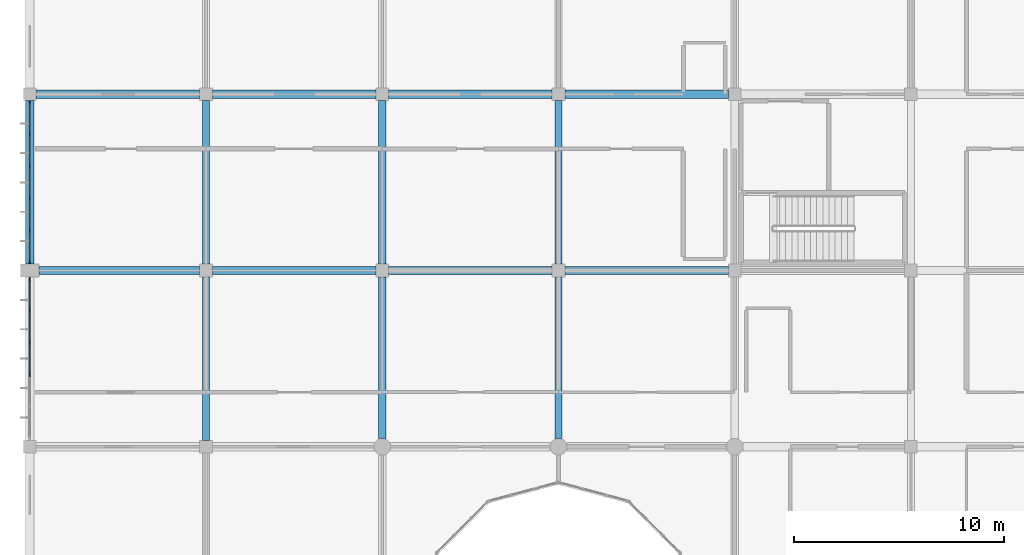
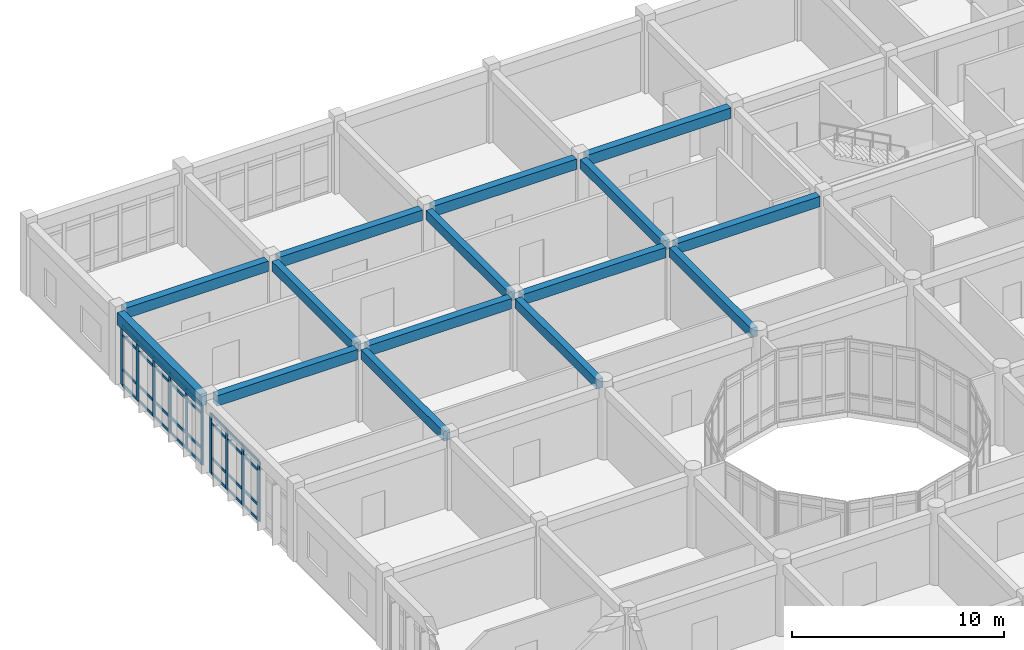
# One storey, part 41 of 144: 42 members, 15 beams, 2 elements without a shape of their own.
"""IFC4 building model written with IfcOpenShell, lengths in metres."""

from ifc_helpers import new_model, si_unit, direction, frame, origin, origin_2d, place, context, subcontext, project, spatial, rectangle, extrude, material, layer, layer_set, material_profile, profile_set, type_object, element, aggregate, save


model = new_model("IFC4")

# Units and contexts
model_context = context("Model", 3, precision=1e-05, world=origin(), true_north=direction((0.0, 1.0)))
body_context = subcontext(model_context, "Body", "Model", "MODEL_VIEW")
ifc_project = project(units=[si_unit("LENGTHUNIT", "METRE"), si_unit("AREAUNIT", "SQUARE_METRE"), si_unit("VOLUMEUNIT", "CUBIC_METRE"), si_unit("PLANEANGLEUNIT", "RADIAN"), si_unit("MASSUNIT", "GRAM", prefix="KILO")], contexts=[model_context])

# Site, building, storey
site_placement = place(None, origin())
site = spatial("IfcSite", under=ifc_project, at=site_placement, CompositionType="ELEMENT")
building_placement = place(site_placement, origin())
building = spatial("IfcBuilding", under=site, at=building_placement, Name="Bramfleet General Hospital", CompositionType="ELEMENT")
storey_placement = place(building_placement, frame((0.0, 0.0, 4.800048828125)))
storey = spatial("IfcBuildingStorey", under=building, at=storey_placement, Name="L01", CompositionType="ELEMENT", Elevation=4.800048828125)

# Beams
ifc_material_1 = material(Name="Concrete C35/45", Category="concrete")
ifc_material_profile_1 = material_profile(ifc_material_1, rectangle(XDim=0.35009765625, YDim=0.550048828125, at=origin_2d()), Name="RC BM 550x350")
ifc_profile_set_1 = profile_set([ifc_material_profile_1], Name="Concrete C35/45")
beam_type_1 = type_object("IfcBeamType", Name="BM-RC550", PredefinedType="BEAM", material=ifc_profile_set_1)
beam_1_placement = place(storey_placement, frame((8.39990234375, 92.699951171875, 3.875), z_axis=(0.0, 1.0, 0.0), x_axis=(-1.0, 0.0, 0.0)))
element("IfcBeam", 1, at=beam_1_placement, inside=storey, type_object=beam_type_1, Name="L01 Grid Beam Y 01-11", PredefinedType="BEAM", context=body_context, shape_type="SweptSolid", body=[
    extrude(rectangle(XDim=0.35009765625, YDim=0.550048828125, at=origin_2d()), origin(), (0.0, 0.0, 1.0), 7.800048828125),
])
beam_2_placement = place(storey_placement, frame((8.39990234375, 101.10009765625, 3.875), z_axis=(0.0, 1.0, 0.0), x_axis=(-1.0, 0.0, 0.0)))
element("IfcBeam", 2, at=beam_2_placement, inside=storey, type_object=beam_type_1, Name="L01 Grid Beam Y 01-12", PredefinedType="BEAM", context=body_context, shape_type="SweptSolid", body=[
    extrude(rectangle(XDim=0.35009765625, YDim=0.550048828125, at=origin_2d()), origin(), (0.0, 0.0, 1.0), 7.7998046875),
])
beam_3_placement = place(storey_placement, frame((16.800048828125, 92.800048828125, 3.875), z_axis=(0.0, 1.0, 0.0), x_axis=(-1.0, 0.0, 0.0)))
element("IfcBeam", 3, at=beam_3_placement, inside=storey, type_object=beam_type_1, Name="L01 Grid Beam Y 02-11", PredefinedType="BEAM", context=body_context, shape_type="SweptSolid", body=[
    extrude(rectangle(XDim=0.35009765625, YDim=0.550048828125, at=origin_2d()), origin(), (0.0, 0.0, 1.0), 7.699951171875),
])
beam_4_placement = place(storey_placement, frame((16.800048828125, 101.10009765625, 3.875), z_axis=(0.0, 1.0, 0.0), x_axis=(-1.0, 0.0, 0.0)))
element("IfcBeam", 4, at=beam_4_placement, inside=storey, type_object=beam_type_1, Name="L01 Grid Beam Y 02-12", PredefinedType="BEAM", context=body_context, shape_type="SweptSolid", body=[
    extrude(rectangle(XDim=0.35009765625, YDim=0.550048828125, at=origin_2d()), origin(), (0.0, 0.0, 1.0), 7.7998046875),
])
beam_5_placement = place(storey_placement, frame((25.199951171875, 92.800048828125, 3.875), z_axis=(0.0, 1.0, 0.0), x_axis=(-1.0, 0.0, 0.0)))
element("IfcBeam", 5, at=beam_5_placement, inside=storey, type_object=beam_type_1, Name="L01 Grid Beam Y 03-11", PredefinedType="BEAM", context=body_context, shape_type="SweptSolid", body=[
    extrude(rectangle(XDim=0.35009765625, YDim=0.550048828125, at=origin_2d()), origin(), (0.0, 0.0, 1.0), 7.699951171875),
])
beam_6_placement = place(storey_placement, frame((25.199951171875, 101.10009765625, 3.875), z_axis=(0.0, 1.0, 0.0), x_axis=(-1.0, 0.0, 0.0)))
element("IfcBeam", 6, at=beam_6_placement, inside=storey, type_object=beam_type_1, Name="L01 Grid Beam Y 03-12", PredefinedType="BEAM", context=body_context, shape_type="SweptSolid", body=[
    extrude(rectangle(XDim=0.35009765625, YDim=0.550048828125, at=origin_2d()), origin(), (0.0, 0.0, 1.0), 7.7998046875),
])
ifc_material_profile_2 = material_profile(ifc_material_1, rectangle(XDim=0.39990234375, YDim=0.60009765625, at=origin_2d()), Name="RC BM 600x400")
ifc_profile_set_2 = profile_set([ifc_material_profile_2], Name="Concrete C35/45")
beam_type_2 = type_object("IfcBeamType", Name="BM-RC600", PredefinedType="BEAM", material=ifc_profile_set_2)
beam_7_placement = place(storey_placement, frame((0.449951171875, 100.800048828125, 3.849853515625), z_axis=(1.0, 0.0, 0.0), x_axis=(0.0, 1.0, 0.0)))
element("IfcBeam", 7, at=beam_7_placement, inside=storey, type_object=beam_type_2, Name="L01 Grid Beam X 00-12", PredefinedType="BEAM", context=body_context, shape_type="SweptSolid", body=[
    extrude(rectangle(XDim=0.39990234375, YDim=0.60009765625, at=origin_2d()), origin(), (0.0, 0.0, 1.0), 7.650146484375),
])
for number, where, z_axis, x_axis, name in (
    (8, (0.300048828125, 109.199951171875, 3.849853515625), (1.0, 0.0, 0.0), (0.0, 1.0, 0.0), "L01 Grid Beam X 00-13"),
    (9, (8.699951171875, 100.800048828125, 3.849853515625), (1.0, 0.0, 0.0), (0.0, 1.0, 0.0), "L01 Grid Beam X 01-12"),
    (10, (8.699951171875, 109.199951171875, 3.849853515625), (1.0, 0.0, 0.0), (0.0, 1.0, 0.0), "L01 Grid Beam X 01-13"),
):
    element("IfcBeam", number, at=place(storey_placement, frame(where, z_axis=z_axis, x_axis=x_axis)), inside=storey, type_object=beam_type_2, Name=name, PredefinedType="BEAM", context=body_context, shape_type="SweptSolid", body=[
        extrude(rectangle(XDim=0.39990234375, YDim=0.60009765625, at=origin_2d()), origin(), (0.0, 0.0, 1.0), 7.800048828125),
    ])
for number, where, z_axis, x_axis, name in (
    (11, (17.10009765625, 100.800048828125, 3.849853515625), (1.0, 0.0, 0.0), (0.0, 1.0, 0.0), "L01 Grid Beam X 02-12"),
    (12, (17.10009765625, 109.199951171875, 3.849853515625), (1.0, 0.0, 0.0), (0.0, 1.0, 0.0), "L01 Grid Beam X 02-13"),
):
    element("IfcBeam", number, at=place(storey_placement, frame(where, z_axis=z_axis, x_axis=x_axis)), inside=storey, type_object=beam_type_2, Name=name, PredefinedType="BEAM", context=body_context, shape_type="SweptSolid", body=[
        extrude(rectangle(XDim=0.39990234375, YDim=0.60009765625, at=origin_2d()), origin(), (0.0, 0.0, 1.0), 7.7998046875),
    ])
for number, where, z_axis, x_axis, name in (
    (13, (25.5, 100.800048828125, 3.849853515625), (1.0, 0.0, 0.0), (0.0, 1.0, 0.0), "L01 Grid Beam X 03-12"),
    (14, (25.5, 109.199951171875, 3.849853515625), (1.0, 0.0, 0.0), (0.0, 1.0, 0.0), "L01 Grid Beam X 03-13"),
):
    element("IfcBeam", number, at=place(storey_placement, frame(where, z_axis=z_axis, x_axis=x_axis)), inside=storey, type_object=beam_type_2, Name=name, PredefinedType="BEAM", context=body_context, shape_type="SweptSolid", body=[
        extrude(rectangle(XDim=0.39990234375, YDim=0.60009765625, at=origin_2d()), origin(), (0.0, 0.0, 1.0), 7.800048828125),
    ])
ifc_material_profile_3 = material_profile(ifc_material_1, rectangle(XDim=0.39990234375, YDim=0.699951171875, at=origin_2d()), Name="RC SP 700x400")
ifc_profile_set_3 = profile_set([ifc_material_profile_3], Name="Concrete C35/45")
beam_type_3 = type_object("IfcBeamType", Name="BM-SP700", PredefinedType="SPANDREL", material=ifc_profile_set_3)
beam_8_placement = place(storey_placement, frame((0.0, 101.10009765625, 3.800048828125), z_axis=(0.0, 1.0, 0.0), x_axis=(-1.0, 0.0, 0.0)))
element("IfcBeam", 15, at=beam_8_placement, inside=storey, type_object=beam_type_3, Name="L01 Grid Beam Y 00-12", PredefinedType="SPANDREL", context=body_context, shape_type="SweptSolid", body=[
    extrude(rectangle(XDim=0.39990234375, YDim=0.699951171875, at=origin_2d()), origin(), (0.0, 0.0, 1.0), 7.7998046875),
])

# Curtain wall, members
ifc_material_2 = material(Name="Anodised aluminium and low-E triple glazing", Category="aluminium")
ifc_layer_1 = layer(ifc_material_2, 0.179931640625, Name="CWT-CW-07")
ifc_layer_set_1 = layer_set([ifc_layer_1], Name="Anodised aluminium and low-E triple glazing")
curtain_wall_type_1 = type_object("IfcCurtainWallType", Name="CWT-CW-07", PredefinedType="USERDEFINED", material=ifc_layer_set_1)
curtain_wall_1_placement = place(storey_placement, origin())
curtain_wall_1 = element("IfcCurtainWall", 16, at=curtain_wall_1_placement, inside=storey, type_object=curtain_wall_type_1, Name="L01 Curtain Wall 43", ObjectType="Unitised curtain wall", PredefinedType="USERDEFINED")
ifc_material_3 = material(Name="Structural timber GL28h", Category="wood")
ifc_material_profile_4 = material_profile(ifc_material_3, rectangle(XDim=0.070068359375, YDim=0.18994140625, at=origin_2d()), Name="LARCH 190x70")
ifc_profile_set_4 = profile_set([ifc_material_profile_4], Name="Structural timber GL28h")
member_type_1 = type_object("IfcMemberType", Name="CWM-LARCH450", PredefinedType="MULLION", material=ifc_profile_set_4)
member_1_placement = place(storey_placement, frame((0.0, 95.8349609375, 0.0), z_axis=(0.0, 0.0, 1.0), x_axis=(-1.0, 0.0, 0.0)))
member_1 = element("IfcMember", 17, at=member_1_placement, type_object=member_type_1, Name="CW-07 mullion 3", PredefinedType="MULLION", context=body_context, shape_type="SweptSolid", body=[
    extrude(rectangle(XDim=0.070068359375, YDim=0.18994140625, at=origin_2d()), origin(), (0.0, 0.0, 1.0), 3.43994140625),
])
member_2_placement = place(storey_placement, frame((0.0, 97.364990234375, 0.0), z_axis=(0.0, 0.0, 1.0), x_axis=(-1.0, 0.0, 0.0)))
member_2 = element("IfcMember", 18, at=member_2_placement, type_object=member_type_1, Name="CW-07 mullion 4", PredefinedType="MULLION", context=body_context, shape_type="SweptSolid", body=[
    extrude(rectangle(XDim=0.070068359375, YDim=0.18994140625, at=origin_2d()), origin(), (0.0, 0.0, 1.0), 3.43994140625),
])
member_3_placement = place(storey_placement, frame((0.0, 98.89501953125, 0.0), z_axis=(0.0, 0.0, 1.0), x_axis=(-1.0, 0.0, 0.0)))
member_3 = element("IfcMember", 19, at=member_3_placement, type_object=member_type_1, Name="CW-07 mullion 5", PredefinedType="MULLION", context=body_context, shape_type="SweptSolid", body=[
    extrude(rectangle(XDim=0.070068359375, YDim=0.18994140625, at=origin_2d()), origin(), (0.0, 0.0, 1.0), 3.43994140625),
])
member_4_placement = place(storey_placement, frame((0.0, 100.389892578125, 0.0), z_axis=(0.0, 0.0, 1.0), x_axis=(-1.0, 0.0, 0.0)))
member_4 = element("IfcMember", 20, at=member_4_placement, type_object=member_type_1, Name="CW-07 mullion 6", PredefinedType="MULLION", context=body_context, shape_type="SweptSolid", body=[
    extrude(rectangle(XDim=0.070068359375, YDim=0.18994140625, at=origin_2d()), origin(), (0.0, 0.0, 1.0), 3.43994140625),
])

ifc_layer_2 = layer(ifc_material_2, 0.179931640625, Name="CWT-CW-08")
ifc_layer_set_2 = layer_set([ifc_layer_2], Name="Anodised aluminium and low-E triple glazing")
curtain_wall_type_2 = type_object("IfcCurtainWallType", Name="CWT-CW-08", PredefinedType="USERDEFINED", material=ifc_layer_set_2)
curtain_wall_2_placement = place(storey_placement, origin())
curtain_wall_2 = element("IfcCurtainWall", 21, at=curtain_wall_2_placement, inside=storey, type_object=curtain_wall_type_2, Name="L01 Curtain Wall 44", ObjectType="Unitised curtain wall", PredefinedType="USERDEFINED")
member_5_placement = place(storey_placement, frame((0.0, 101.2099609375, 0.0), z_axis=(0.0, 0.0, 1.0), x_axis=(-1.0, 0.0, 0.0)))
member_5 = element("IfcMember", 22, at=member_5_placement, type_object=member_type_1, Name="CW-08 mullion 1", PredefinedType="MULLION", context=body_context, shape_type="SweptSolid", body=[
    extrude(rectangle(XDim=0.070068359375, YDim=0.18994140625, at=origin_2d()), origin(), (0.0, 0.0, 1.0), 3.43994140625),
])
member_6_placement = place(storey_placement, frame((0.0, 102.705078125, 0.0), z_axis=(0.0, 0.0, 1.0), x_axis=(-1.0, 0.0, 0.0)))
member_6 = element("IfcMember", 23, at=member_6_placement, type_object=member_type_1, Name="CW-08 mullion 2", PredefinedType="MULLION", context=body_context, shape_type="SweptSolid", body=[
    extrude(rectangle(XDim=0.070068359375, YDim=0.18994140625, at=origin_2d()), origin(), (0.0, 0.0, 1.0), 3.43994140625),
])
member_7_placement = place(storey_placement, frame((0.0, 104.235107421875, 0.0), z_axis=(0.0, 0.0, 1.0), x_axis=(-1.0, 0.0, 0.0)))
member_7 = element("IfcMember", 24, at=member_7_placement, type_object=member_type_1, Name="CW-08 mullion 3", PredefinedType="MULLION", context=body_context, shape_type="SweptSolid", body=[
    extrude(rectangle(XDim=0.070068359375, YDim=0.18994140625, at=origin_2d()), origin(), (0.0, 0.0, 1.0), 3.43994140625),
])
member_8_placement = place(storey_placement, frame((0.0, 105.764892578125, 0.0), z_axis=(0.0, 0.0, 1.0), x_axis=(-1.0, 0.0, 0.0)))
member_8 = element("IfcMember", 25, at=member_8_placement, type_object=member_type_1, Name="CW-08 mullion 4", PredefinedType="MULLION", context=body_context, shape_type="SweptSolid", body=[
    extrude(rectangle(XDim=0.070068359375, YDim=0.18994140625, at=origin_2d()), origin(), (0.0, 0.0, 1.0), 3.43994140625),
])
member_9_placement = place(storey_placement, frame((0.0, 107.294921875, 0.0), z_axis=(0.0, 0.0, 1.0), x_axis=(-1.0, 0.0, 0.0)))
member_9 = element("IfcMember", 26, at=member_9_placement, type_object=member_type_1, Name="CW-08 mullion 5", PredefinedType="MULLION", context=body_context, shape_type="SweptSolid", body=[
    extrude(rectangle(XDim=0.070068359375, YDim=0.18994140625, at=origin_2d()), origin(), (0.0, 0.0, 1.0), 3.43994140625),
])
member_10_placement = place(storey_placement, frame((0.0, 108.7900390625, 0.0), z_axis=(0.0, 0.0, 1.0), x_axis=(-1.0, 0.0, 0.0)))
member_10 = element("IfcMember", 27, at=member_10_placement, type_object=member_type_1, Name="CW-08 mullion 6", PredefinedType="MULLION", context=body_context, shape_type="SweptSolid", body=[
    extrude(rectangle(XDim=0.070068359375, YDim=0.18994140625, at=origin_2d()), origin(), (0.0, 0.0, 1.0), 3.43994140625),
])

# Member
ifc_material_profile_5 = material_profile(ifc_material_3, rectangle(XDim=0.06494140625, YDim=0.14990234375, at=origin_2d()), Name="LARCH 150x65")
ifc_profile_set_5 = profile_set([ifc_material_profile_5], Name="Structural timber GL28h")
member_type_2 = type_object("IfcMemberType", Name="CWT-LARCH220", PredefinedType="USERDEFINED", material=ifc_profile_set_5)
member_11_placement = place(storey_placement, frame((0.0, 95.8701171875, 0.032470703125), z_axis=(0.0, 1.0, 0.0), x_axis=(-1.0, 0.0, 0.0)))
member_11 = element("IfcMember", 28, at=member_11_placement, type_object=member_type_2, Name="CW-07 transom 3.1", ObjectType="TRANSOM", PredefinedType="USERDEFINED", context=body_context, shape_type="SweptSolid", body=[
    extrude(rectangle(XDim=0.06494140625, YDim=0.14990234375, at=origin_2d()), origin(), (0.0, 0.0, 1.0), 1.4599609375),
])

member_12_placement = place(storey_placement, frame((0.0, 95.8701171875, 0.89990234375), z_axis=(0.0, 1.0, 0.0), x_axis=(-1.0, 0.0, 0.0)))
member_12 = element("IfcMember", 29, at=member_12_placement, type_object=member_type_2, Name="CW-07 transom 3.2", ObjectType="TRANSOM", PredefinedType="USERDEFINED", context=body_context, shape_type="SweptSolid", body=[
    extrude(rectangle(XDim=0.06494140625, YDim=0.14990234375, at=origin_2d()), origin(), (0.0, 0.0, 1.0), 1.4599609375),
])

member_13_placement = place(storey_placement, frame((0.0, 95.8701171875, 2.889892578125), z_axis=(0.0, 1.0, 0.0), x_axis=(-1.0, 0.0, 0.0)))
member_13 = element("IfcMember", 30, at=member_13_placement, type_object=member_type_2, Name="CW-07 transom 3.3", ObjectType="TRANSOM", PredefinedType="USERDEFINED", context=body_context, shape_type="SweptSolid", body=[
    extrude(rectangle(XDim=0.06494140625, YDim=0.14990234375, at=origin_2d()), origin(), (0.0, 0.0, 1.0), 1.4599609375),
])

member_14_placement = place(storey_placement, frame((0.0, 95.8701171875, 3.407470703125), z_axis=(0.0, 1.0, 0.0), x_axis=(-1.0, 0.0, 0.0)))
member_14 = element("IfcMember", 31, at=member_14_placement, type_object=member_type_2, Name="CW-07 transom 3.4", ObjectType="TRANSOM", PredefinedType="USERDEFINED", context=body_context, shape_type="SweptSolid", body=[
    extrude(rectangle(XDim=0.06494140625, YDim=0.14990234375, at=origin_2d()), origin(), (0.0, 0.0, 1.0), 1.4599609375),
])

member_15_placement = place(storey_placement, frame((0.0, 97.39990234375, 0.032470703125), z_axis=(0.0, 1.0, 0.0), x_axis=(-1.0, 0.0, 0.0)))
member_15 = element("IfcMember", 32, at=member_15_placement, type_object=member_type_2, Name="CW-07 transom 4.1", ObjectType="TRANSOM", PredefinedType="USERDEFINED", context=body_context, shape_type="SweptSolid", body=[
    extrude(rectangle(XDim=0.06494140625, YDim=0.14990234375, at=origin_2d()), origin(), (0.0, 0.0, 1.0), 1.460205078125),
])

member_16_placement = place(storey_placement, frame((0.0, 97.39990234375, 0.89990234375), z_axis=(0.0, 1.0, 0.0), x_axis=(-1.0, 0.0, 0.0)))
member_16 = element("IfcMember", 33, at=member_16_placement, type_object=member_type_2, Name="CW-07 transom 4.2", ObjectType="TRANSOM", PredefinedType="USERDEFINED", context=body_context, shape_type="SweptSolid", body=[
    extrude(rectangle(XDim=0.06494140625, YDim=0.14990234375, at=origin_2d()), origin(), (0.0, 0.0, 1.0), 1.460205078125),
])

member_17_placement = place(storey_placement, frame((0.0, 97.39990234375, 2.889892578125), z_axis=(0.0, 1.0, 0.0), x_axis=(-1.0, 0.0, 0.0)))
member_17 = element("IfcMember", 34, at=member_17_placement, type_object=member_type_2, Name="CW-07 transom 4.3", ObjectType="TRANSOM", PredefinedType="USERDEFINED", context=body_context, shape_type="SweptSolid", body=[
    extrude(rectangle(XDim=0.06494140625, YDim=0.14990234375, at=origin_2d()), origin(), (0.0, 0.0, 1.0), 1.460205078125),
])

member_18_placement = place(storey_placement, frame((0.0, 97.39990234375, 3.407470703125), z_axis=(0.0, 1.0, 0.0), x_axis=(-1.0, 0.0, 0.0)))
member_18 = element("IfcMember", 35, at=member_18_placement, type_object=member_type_2, Name="CW-07 transom 4.4", ObjectType="TRANSOM", PredefinedType="USERDEFINED", context=body_context, shape_type="SweptSolid", body=[
    extrude(rectangle(XDim=0.06494140625, YDim=0.14990234375, at=origin_2d()), origin(), (0.0, 0.0, 1.0), 1.460205078125),
])

member_19_placement = place(storey_placement, frame((0.0, 98.929931640625, 0.032470703125), z_axis=(0.0, 1.0, 0.0), x_axis=(-1.0, 0.0, 0.0)))
member_19 = element("IfcMember", 36, at=member_19_placement, type_object=member_type_2, Name="CW-07 transom 5.1", ObjectType="TRANSOM", PredefinedType="USERDEFINED", context=body_context, shape_type="SweptSolid", body=[
    extrude(rectangle(XDim=0.06494140625, YDim=0.14990234375, at=origin_2d()), origin(), (0.0, 0.0, 1.0), 1.425048828125),
])

member_20_placement = place(storey_placement, frame((0.0, 98.929931640625, 0.89990234375), z_axis=(0.0, 1.0, 0.0), x_axis=(-1.0, 0.0, 0.0)))
member_20 = element("IfcMember", 37, at=member_20_placement, type_object=member_type_2, Name="CW-07 transom 5.2", ObjectType="TRANSOM", PredefinedType="USERDEFINED", context=body_context, shape_type="SweptSolid", body=[
    extrude(rectangle(XDim=0.06494140625, YDim=0.14990234375, at=origin_2d()), origin(), (0.0, 0.0, 1.0), 1.425048828125),
])

member_21_placement = place(storey_placement, frame((0.0, 98.929931640625, 2.889892578125), z_axis=(0.0, 1.0, 0.0), x_axis=(-1.0, 0.0, 0.0)))
member_21 = element("IfcMember", 38, at=member_21_placement, type_object=member_type_2, Name="CW-07 transom 5.3", ObjectType="TRANSOM", PredefinedType="USERDEFINED", context=body_context, shape_type="SweptSolid", body=[
    extrude(rectangle(XDim=0.06494140625, YDim=0.14990234375, at=origin_2d()), origin(), (0.0, 0.0, 1.0), 1.425048828125),
])

member_22_placement = place(storey_placement, frame((0.0, 98.929931640625, 3.407470703125), z_axis=(0.0, 1.0, 0.0), x_axis=(-1.0, 0.0, 0.0)))
member_22 = element("IfcMember", 39, at=member_22_placement, type_object=member_type_2, Name="CW-07 transom 5.4", ObjectType="TRANSOM", PredefinedType="USERDEFINED", context=body_context, shape_type="SweptSolid", body=[
    extrude(rectangle(XDim=0.06494140625, YDim=0.14990234375, at=origin_2d()), origin(), (0.0, 0.0, 1.0), 1.425048828125),
])

aggregate(curtain_wall_1, [member_1, member_2, member_3, member_4, member_11, member_12, member_13, member_14, member_15, member_16, member_17, member_18, member_19, member_20, member_21, member_22])

member_23_placement = place(storey_placement, frame((0.0, 101.2451171875, 0.032470703125), z_axis=(0.0, 1.0, 0.0), x_axis=(-1.0, 0.0, 0.0)))
member_23 = element("IfcMember", 40, at=member_23_placement, type_object=member_type_2, Name="CW-08 transom 1.1", ObjectType="TRANSOM", PredefinedType="USERDEFINED", context=body_context, shape_type="SweptSolid", body=[
    extrude(rectangle(XDim=0.06494140625, YDim=0.14990234375, at=origin_2d()), origin(), (0.0, 0.0, 1.0), 1.4248046875),
])

member_24_placement = place(storey_placement, frame((0.0, 101.2451171875, 0.89990234375), z_axis=(0.0, 1.0, 0.0), x_axis=(-1.0, 0.0, 0.0)))
member_24 = element("IfcMember", 41, at=member_24_placement, type_object=member_type_2, Name="CW-08 transom 1.2", ObjectType="TRANSOM", PredefinedType="USERDEFINED", context=body_context, shape_type="SweptSolid", body=[
    extrude(rectangle(XDim=0.06494140625, YDim=0.14990234375, at=origin_2d()), origin(), (0.0, 0.0, 1.0), 1.4248046875),
])

member_25_placement = place(storey_placement, frame((0.0, 101.2451171875, 2.889892578125), z_axis=(0.0, 1.0, 0.0), x_axis=(-1.0, 0.0, 0.0)))
member_25 = element("IfcMember", 42, at=member_25_placement, type_object=member_type_2, Name="CW-08 transom 1.3", ObjectType="TRANSOM", PredefinedType="USERDEFINED", context=body_context, shape_type="SweptSolid", body=[
    extrude(rectangle(XDim=0.06494140625, YDim=0.14990234375, at=origin_2d()), origin(), (0.0, 0.0, 1.0), 1.4248046875),
])

member_26_placement = place(storey_placement, frame((0.0, 101.2451171875, 3.407470703125), z_axis=(0.0, 1.0, 0.0), x_axis=(-1.0, 0.0, 0.0)))
member_26 = element("IfcMember", 43, at=member_26_placement, type_object=member_type_2, Name="CW-08 transom 1.4", ObjectType="TRANSOM", PredefinedType="USERDEFINED", context=body_context, shape_type="SweptSolid", body=[
    extrude(rectangle(XDim=0.06494140625, YDim=0.14990234375, at=origin_2d()), origin(), (0.0, 0.0, 1.0), 1.4248046875),
])

member_27_placement = place(storey_placement, frame((0.0, 102.739990234375, 0.032470703125), z_axis=(0.0, 1.0, 0.0), x_axis=(-1.0, 0.0, 0.0)))
member_27 = element("IfcMember", 44, at=member_27_placement, type_object=member_type_2, Name="CW-08 transom 2.1", ObjectType="TRANSOM", PredefinedType="USERDEFINED", context=body_context, shape_type="SweptSolid", body=[
    extrude(rectangle(XDim=0.06494140625, YDim=0.14990234375, at=origin_2d()), origin(), (0.0, 0.0, 1.0), 1.4599609375),
])

member_28_placement = place(storey_placement, frame((0.0, 102.739990234375, 0.89990234375), z_axis=(0.0, 1.0, 0.0), x_axis=(-1.0, 0.0, 0.0)))
member_28 = element("IfcMember", 45, at=member_28_placement, type_object=member_type_2, Name="CW-08 transom 2.2", ObjectType="TRANSOM", PredefinedType="USERDEFINED", context=body_context, shape_type="SweptSolid", body=[
    extrude(rectangle(XDim=0.06494140625, YDim=0.14990234375, at=origin_2d()), origin(), (0.0, 0.0, 1.0), 1.4599609375),
])

member_29_placement = place(storey_placement, frame((0.0, 102.739990234375, 2.889892578125), z_axis=(0.0, 1.0, 0.0), x_axis=(-1.0, 0.0, 0.0)))
member_29 = element("IfcMember", 46, at=member_29_placement, type_object=member_type_2, Name="CW-08 transom 2.3", ObjectType="TRANSOM", PredefinedType="USERDEFINED", context=body_context, shape_type="SweptSolid", body=[
    extrude(rectangle(XDim=0.06494140625, YDim=0.14990234375, at=origin_2d()), origin(), (0.0, 0.0, 1.0), 1.4599609375),
])

member_30_placement = place(storey_placement, frame((0.0, 102.739990234375, 3.407470703125), z_axis=(0.0, 1.0, 0.0), x_axis=(-1.0, 0.0, 0.0)))
member_30 = element("IfcMember", 47, at=member_30_placement, type_object=member_type_2, Name="CW-08 transom 2.4", ObjectType="TRANSOM", PredefinedType="USERDEFINED", context=body_context, shape_type="SweptSolid", body=[
    extrude(rectangle(XDim=0.06494140625, YDim=0.14990234375, at=origin_2d()), origin(), (0.0, 0.0, 1.0), 1.4599609375),
])

member_31_placement = place(storey_placement, frame((0.0, 104.27001953125, 0.032470703125), z_axis=(0.0, 1.0, 0.0), x_axis=(-1.0, 0.0, 0.0)))
member_31 = element("IfcMember", 48, at=member_31_placement, type_object=member_type_2, Name="CW-08 transom 3.1", ObjectType="TRANSOM", PredefinedType="USERDEFINED", context=body_context, shape_type="SweptSolid", body=[
    extrude(rectangle(XDim=0.06494140625, YDim=0.14990234375, at=origin_2d()), origin(), (0.0, 0.0, 1.0), 1.4599609375),
])

member_32_placement = place(storey_placement, frame((0.0, 104.27001953125, 0.89990234375), z_axis=(0.0, 1.0, 0.0), x_axis=(-1.0, 0.0, 0.0)))
member_32 = element("IfcMember", 49, at=member_32_placement, type_object=member_type_2, Name="CW-08 transom 3.2", ObjectType="TRANSOM", PredefinedType="USERDEFINED", context=body_context, shape_type="SweptSolid", body=[
    extrude(rectangle(XDim=0.06494140625, YDim=0.14990234375, at=origin_2d()), origin(), (0.0, 0.0, 1.0), 1.4599609375),
])

member_33_placement = place(storey_placement, frame((0.0, 104.27001953125, 2.889892578125), z_axis=(0.0, 1.0, 0.0), x_axis=(-1.0, 0.0, 0.0)))
member_33 = element("IfcMember", 50, at=member_33_placement, type_object=member_type_2, Name="CW-08 transom 3.3", ObjectType="TRANSOM", PredefinedType="USERDEFINED", context=body_context, shape_type="SweptSolid", body=[
    extrude(rectangle(XDim=0.06494140625, YDim=0.14990234375, at=origin_2d()), origin(), (0.0, 0.0, 1.0), 1.4599609375),
])

member_34_placement = place(storey_placement, frame((0.0, 104.27001953125, 3.407470703125), z_axis=(0.0, 1.0, 0.0), x_axis=(-1.0, 0.0, 0.0)))
member_34 = element("IfcMember", 51, at=member_34_placement, type_object=member_type_2, Name="CW-08 transom 3.4", ObjectType="TRANSOM", PredefinedType="USERDEFINED", context=body_context, shape_type="SweptSolid", body=[
    extrude(rectangle(XDim=0.06494140625, YDim=0.14990234375, at=origin_2d()), origin(), (0.0, 0.0, 1.0), 1.4599609375),
])

member_35_placement = place(storey_placement, frame((0.0, 105.800048828125, 0.032470703125), z_axis=(0.0, 1.0, 0.0), x_axis=(-1.0, 0.0, 0.0)))
member_35 = element("IfcMember", 52, at=member_35_placement, type_object=member_type_2, Name="CW-08 transom 4.1", ObjectType="TRANSOM", PredefinedType="USERDEFINED", context=body_context, shape_type="SweptSolid", body=[
    extrude(rectangle(XDim=0.06494140625, YDim=0.14990234375, at=origin_2d()), origin(), (0.0, 0.0, 1.0), 1.4599609375),
])

member_36_placement = place(storey_placement, frame((0.0, 105.800048828125, 0.89990234375), z_axis=(0.0, 1.0, 0.0), x_axis=(-1.0, 0.0, 0.0)))
member_36 = element("IfcMember", 53, at=member_36_placement, type_object=member_type_2, Name="CW-08 transom 4.2", ObjectType="TRANSOM", PredefinedType="USERDEFINED", context=body_context, shape_type="SweptSolid", body=[
    extrude(rectangle(XDim=0.06494140625, YDim=0.14990234375, at=origin_2d()), origin(), (0.0, 0.0, 1.0), 1.4599609375),
])

member_37_placement = place(storey_placement, frame((0.0, 105.800048828125, 2.889892578125), z_axis=(0.0, 1.0, 0.0), x_axis=(-1.0, 0.0, 0.0)))
member_37 = element("IfcMember", 54, at=member_37_placement, type_object=member_type_2, Name="CW-08 transom 4.3", ObjectType="TRANSOM", PredefinedType="USERDEFINED", context=body_context, shape_type="SweptSolid", body=[
    extrude(rectangle(XDim=0.06494140625, YDim=0.14990234375, at=origin_2d()), origin(), (0.0, 0.0, 1.0), 1.4599609375),
])

member_38_placement = place(storey_placement, frame((0.0, 105.800048828125, 3.407470703125), z_axis=(0.0, 1.0, 0.0), x_axis=(-1.0, 0.0, 0.0)))
member_38 = element("IfcMember", 55, at=member_38_placement, type_object=member_type_2, Name="CW-08 transom 4.4", ObjectType="TRANSOM", PredefinedType="USERDEFINED", context=body_context, shape_type="SweptSolid", body=[
    extrude(rectangle(XDim=0.06494140625, YDim=0.14990234375, at=origin_2d()), origin(), (0.0, 0.0, 1.0), 1.4599609375),
])

member_39_placement = place(storey_placement, frame((0.0, 107.330078125, 0.032470703125), z_axis=(0.0, 1.0, 0.0), x_axis=(-1.0, 0.0, 0.0)))
member_39 = element("IfcMember", 56, at=member_39_placement, type_object=member_type_2, Name="CW-08 transom 5.1", ObjectType="TRANSOM", PredefinedType="USERDEFINED", context=body_context, shape_type="SweptSolid", body=[
    extrude(rectangle(XDim=0.06494140625, YDim=0.14990234375, at=origin_2d()), origin(), (0.0, 0.0, 1.0), 1.4248046875),
])

member_40_placement = place(storey_placement, frame((0.0, 107.330078125, 0.89990234375), z_axis=(0.0, 1.0, 0.0), x_axis=(-1.0, 0.0, 0.0)))
member_40 = element("IfcMember", 57, at=member_40_placement, type_object=member_type_2, Name="CW-08 transom 5.2", ObjectType="TRANSOM", PredefinedType="USERDEFINED", context=body_context, shape_type="SweptSolid", body=[
    extrude(rectangle(XDim=0.06494140625, YDim=0.14990234375, at=origin_2d()), origin(), (0.0, 0.0, 1.0), 1.4248046875),
])

member_41_placement = place(storey_placement, frame((0.0, 107.330078125, 2.889892578125), z_axis=(0.0, 1.0, 0.0), x_axis=(-1.0, 0.0, 0.0)))
member_41 = element("IfcMember", 58, at=member_41_placement, type_object=member_type_2, Name="CW-08 transom 5.3", ObjectType="TRANSOM", PredefinedType="USERDEFINED", context=body_context, shape_type="SweptSolid", body=[
    extrude(rectangle(XDim=0.06494140625, YDim=0.14990234375, at=origin_2d()), origin(), (0.0, 0.0, 1.0), 1.4248046875),
])

member_42_placement = place(storey_placement, frame((0.0, 107.330078125, 3.407470703125), z_axis=(0.0, 1.0, 0.0), x_axis=(-1.0, 0.0, 0.0)))
member_42 = element("IfcMember", 59, at=member_42_placement, type_object=member_type_2, Name="CW-08 transom 5.4", ObjectType="TRANSOM", PredefinedType="USERDEFINED", context=body_context, shape_type="SweptSolid", body=[
    extrude(rectangle(XDim=0.06494140625, YDim=0.14990234375, at=origin_2d()), origin(), (0.0, 0.0, 1.0), 1.4248046875),
])

aggregate(curtain_wall_2, [member_5, member_6, member_7, member_8, member_9, member_10, member_23, member_24, member_25, member_26, member_27, member_28, member_29, member_30, member_31, member_32, member_33, member_34, member_35, member_36, member_37, member_38, member_39, member_40, member_41, member_42])

save(model, "model.ifc")
